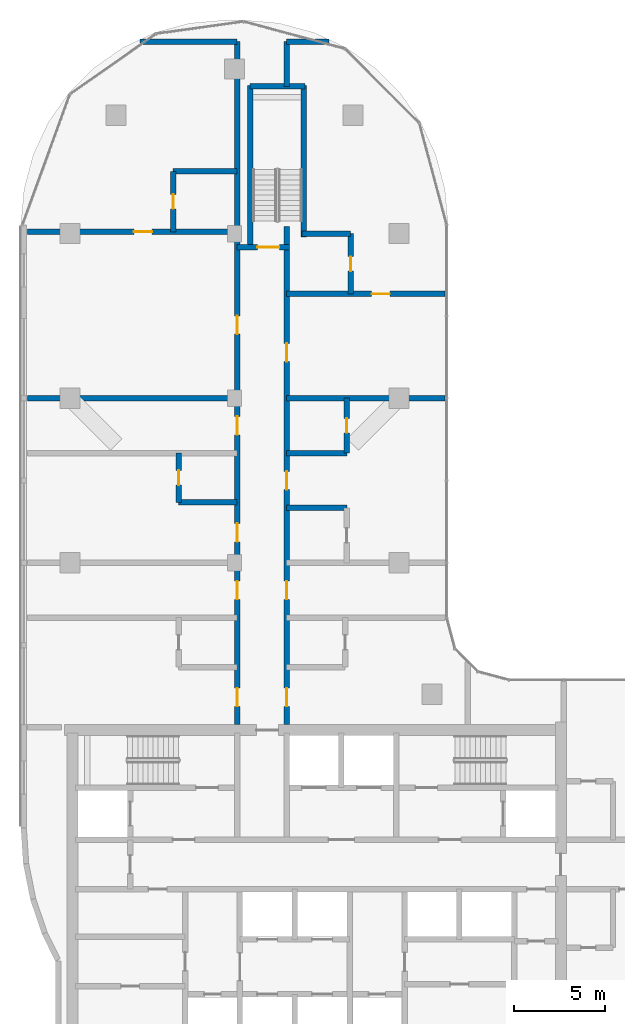
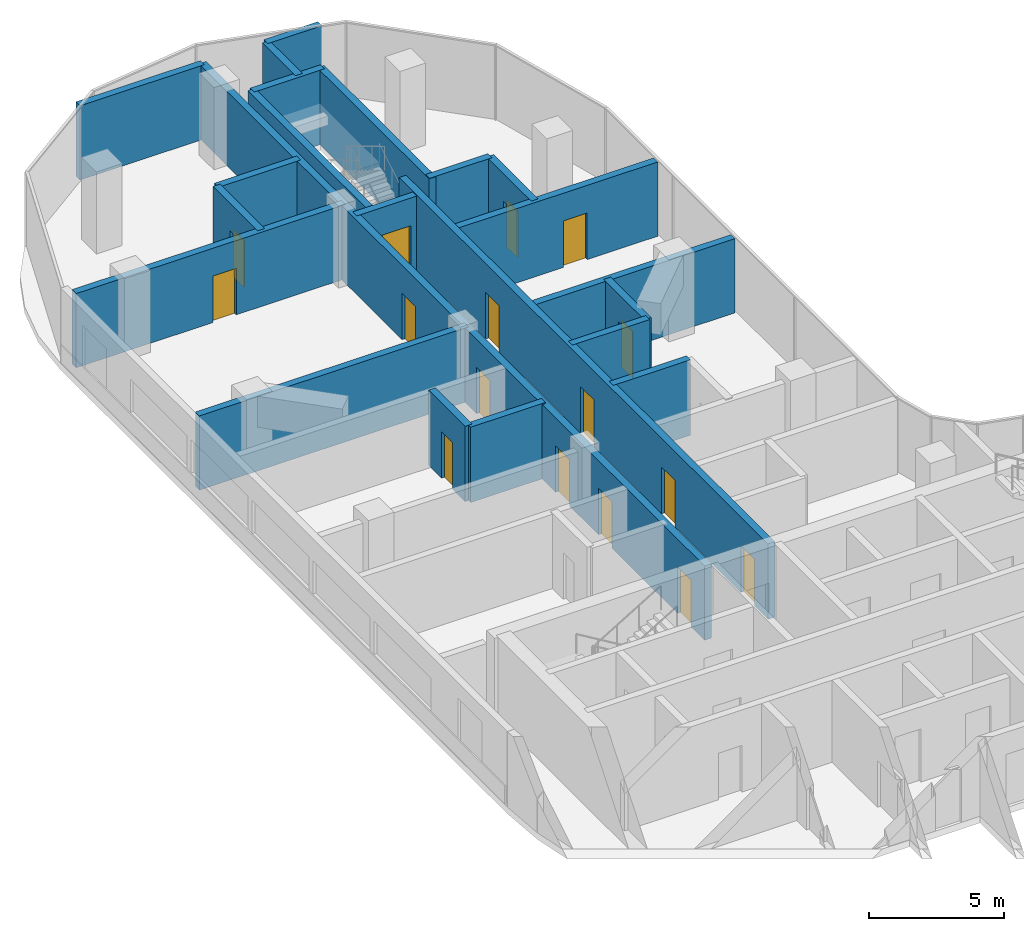
# One storey, part 14 of 23: 22 walls, 16 doors, 16 openings.
"""IFC4 building model written with IfcOpenShell, lengths in metres."""

from ifc_helpers import new_model, si_unit, direction, frame, frame_2d, origin, place, context, subcontext, project, spatial, rectangle, extrude, material, layer, layer_set, type_object, element, fill, save


model = new_model("IFC4")

# Units and contexts
model_context = context("Model", 3, precision=1e-05, world=origin(), true_north=direction((0.0, 1.0)))
body_context = subcontext(model_context, "Body", "Model", "MODEL_VIEW")
ifc_project = project(units=[si_unit("LENGTHUNIT", "METRE"), si_unit("AREAUNIT", "SQUARE_METRE"), si_unit("VOLUMEUNIT", "CUBIC_METRE"), si_unit("PLANEANGLEUNIT", "RADIAN"), si_unit("MASSUNIT", "GRAM", prefix="KILO")], contexts=[model_context])

# Site, building, storey
site_placement = place(None, origin())
site = spatial("IfcSite", under=ifc_project, at=site_placement, CompositionType="ELEMENT")
building_placement = place(site_placement, origin())
building = spatial("IfcBuilding", under=site, at=building_placement, Name="Ogive Portal Towers", CompositionType="ELEMENT")
storey_placement = place(building_placement, frame((0.0, 0.0, 186.60009765625)))
storey = spatial("IfcBuildingStorey", under=building, at=storey_placement, Name="L46", CompositionType="ELEMENT", Elevation=186.60009765625)

# Wall, opening, door
ifc_material_1 = material(Name="Concrete C50/60", Category="concrete")
ifc_layer_1 = layer(ifc_material_1, 0.300048828125)
ifc_layer_set_1 = layer_set([ifc_layer_1], Name="STAIR WALL 300 C50")
wall_type_1 = type_object("IfcWallType", Name="STAIR WALL 300 C50", PredefinedType="SHEAR", material=ifc_layer_set_1)
wall_1_placement = place(storey_placement, frame((40.64990234375, 65.75, 0.0), z_axis=(0.0, 0.0, 1.0), x_axis=(1.0, 0.0, 0.0)))
wall_1 = element("IfcWall", 1, at=wall_1_placement, inside=storey, type_object=wall_type_1, Name="Stair wall ST-A3 L46", PredefinedType="SHEAR", context=body_context, shape_type="SweptSolid", body=[
    extrude(rectangle(XDim=2.8701171875, YDim=0.300048828125, at=frame_2d((1.43505859375, 0.0))), origin(), (0.0, 0.0, 1.0), 3.349853515625),
])
opening_1_placement = place(wall_1_placement, frame((1.10009765625, 0.0, 0.0)))
opening_1 = element("IfcOpeningElement", 2, at=opening_1_placement, cuts=wall_1, Name="Opening D20-065", PredefinedType="OPENING", context=body_context, shape_type="SweptSolid", body=[
    extrude(rectangle(XDim=1.199951171875, YDim=2.10009765625, at=frame_2d((0.60009765625, 1.050048828125))), frame((0.0, 0.16015625, 0.0), z_axis=(0.0, -1.0, 0.0), x_axis=(1.0, 0.0, 0.0)), (0.0, 0.0, 1.0), 0.320068359375),
])
ifc_material_2 = material(Name="Steel fire door", Category="steel")
door_type_1 = type_object("IfcDoorType", Name="DT-STAIR-1200x2100-FD90S", OperationType="SINGLE_SWING_LEFT", PredefinedType="DOOR", material=ifc_material_2)
door_1_placement = place(opening_1_placement, origin())
door_1 = element("IfcDoor", 3, at=door_1_placement, inside=storey, type_object=door_type_1, Name="Door D20-065", OperationType="SINGLE_SWING_RIGHT", OverallHeight=2.10009765625, OverallWidth=1.199951171875, PredefinedType="DOOR", context=body_context, shape_type="SweptSolid", body=[
    extrude(rectangle(XDim=1.199951171875, YDim=2.10009765625, at=frame_2d((0.60009765625, 1.050048828125))), frame((0.0, 0.02490234375, 0.0), z_axis=(0.0, -1.0, 0.0), x_axis=(1.0, 0.0, 0.0)), (0.0, 0.0, 1.0), 0.050048828125),
])
fill(opening_1, door_1)

# Walls
wall_2_placement = place(storey_placement, frame((41.35009765625, 74.550048828125, 0.0), z_axis=(0.0, 0.0, 1.0), x_axis=(1.0, 0.0, 0.0)))
element("IfcWall", 4, at=wall_2_placement, inside=storey, type_object=wall_type_1, Name="Stair wall ST-A3 L46", PredefinedType="SHEAR", context=body_context, shape_type="SweptSolid", body=[
    extrude(rectangle(XDim=3.0, YDim=0.300048828125, at=frame_2d((1.5, 0.0))), origin(), (0.0, 0.0, 1.0), 3.349853515625),
])
wall_3_placement = place(storey_placement, frame((41.35009765625, 65.75, 0.0), z_axis=(0.0, 0.0, 1.0), x_axis=(0.0, 1.0, 0.0)))
element("IfcWall", 5, at=wall_3_placement, inside=storey, type_object=wall_type_1, Name="Stair wall ST-A3 L46", PredefinedType="SHEAR", context=body_context, shape_type="SweptSolid", body=[
    extrude(rectangle(XDim=8.85009765625, YDim=0.300048828125, at=frame_2d((4.425048828125, 0.0))), origin(), (0.0, 0.0, 1.0), 3.349853515625),
])

# Wall, openings, doors
wall_4_placement = place(storey_placement, frame((43.35009765625, 39.64990234375, 0.0), z_axis=(0.0, 0.0, 1.0), x_axis=(0.0, 1.0, 0.0)))
wall_4 = element("IfcWall", 6, at=wall_4_placement, inside=storey, type_object=wall_type_1, Name="Stair wall ST-A3 L46", PredefinedType="SHEAR", context=body_context, shape_type="SweptSolid", body=[
    extrude(rectangle(XDim=27.248046875, YDim=0.300048828125, at=frame_2d((13.6240234375, 0.0))), origin(), (0.0, 0.0, 1.0), 3.39990234375),
])
opening_2_placement = place(wall_4_placement, frame((1.0, 0.0, 0.0)))
opening_2 = element("IfcOpeningElement", 7, at=opening_2_placement, cuts=wall_4, Name="Opening D20-044", PredefinedType="OPENING", context=body_context, shape_type="SweptSolid", body=[
    extrude(rectangle(XDim=1.0, YDim=2.10009765625, at=frame_2d((0.5, 1.050048828125))), frame((0.0, 0.16015625, 0.0), z_axis=(0.0, -1.0, 0.0), x_axis=(1.0, 0.0, 0.0)), (0.0, 0.0, 1.0), 0.320068359375),
])
opening_3_placement = place(wall_4_placement, frame((6.85009765625, 0.0, 0.0)))
opening_3 = element("IfcOpeningElement", 8, at=opening_3_placement, cuts=wall_4, Name="Opening D20-045", PredefinedType="OPENING", context=body_context, shape_type="SweptSolid", body=[
    extrude(rectangle(XDim=1.0, YDim=2.10009765625, at=frame_2d((0.5, 1.050048828125))), frame((0.0, 0.16015625, 0.0), z_axis=(0.0, -1.0, 0.0), x_axis=(1.0, 0.0, 0.0)), (0.0, 0.0, 1.0), 0.320068359375),
])
opening_4_placement = place(wall_4_placement, frame((12.85009765625, 0.0, 0.0)))
opening_4 = element("IfcOpeningElement", 9, at=opening_4_placement, cuts=wall_4, Name="Opening D20-051", PredefinedType="OPENING", context=body_context, shape_type="SweptSolid", body=[
    extrude(rectangle(XDim=1.0, YDim=2.10009765625, at=frame_2d((0.5, 1.050048828125))), frame((0.0, 0.16015625, 0.0), z_axis=(0.0, -1.0, 0.0), x_axis=(1.0, 0.0, 0.0)), (0.0, 0.0, 1.0), 0.320068359375),
])
opening_5_placement = place(wall_4_placement, frame((19.85009765625, 0.0, 0.0)))
opening_5 = element("IfcOpeningElement", 10, at=opening_5_placement, cuts=wall_4, Name="Opening D20-055", PredefinedType="OPENING", context=body_context, shape_type="SweptSolid", body=[
    extrude(rectangle(XDim=1.0, YDim=2.10009765625, at=frame_2d((0.5, 1.050048828125))), frame((0.0, 0.16015625, 0.0), z_axis=(0.0, -1.0, 0.0), x_axis=(1.0, 0.0, 0.0)), (0.0, 0.0, 1.0), 0.320068359375),
])
door_type_2 = type_object("IfcDoorType", Name="DT-ENTRY-1000x2100-FD90S", OperationType="SINGLE_SWING_LEFT", PredefinedType="DOOR", material=ifc_material_2)
door_2_placement = place(opening_2_placement, origin())
door_2 = element("IfcDoor", 11, at=door_2_placement, inside=storey, type_object=door_type_2, Name="Door D20-044", OperationType="SINGLE_SWING_LEFT", OverallHeight=2.10009765625, OverallWidth=1.0, PredefinedType="DOOR", context=body_context, shape_type="SweptSolid", body=[
    extrude(rectangle(XDim=1.0, YDim=2.10009765625, at=frame_2d((0.5, 1.050048828125))), frame((0.0, 0.02490234375, 0.0), z_axis=(0.0, -1.0, 0.0), x_axis=(1.0, 0.0, 0.0)), (0.0, 0.0, 1.0), 0.050048828125),
])
fill(opening_2, door_2)
door_3_placement = place(opening_3_placement, origin())
door_3 = element("IfcDoor", 12, at=door_3_placement, inside=storey, type_object=door_type_2, Name="Door D20-045", OperationType="SINGLE_SWING_LEFT", OverallHeight=2.10009765625, OverallWidth=1.0, PredefinedType="DOOR", context=body_context, shape_type="SweptSolid", body=[
    extrude(rectangle(XDim=1.0, YDim=2.10009765625, at=frame_2d((0.5, 1.050048828125))), frame((0.0, 0.02490234375, 0.0), z_axis=(0.0, -1.0, 0.0), x_axis=(1.0, 0.0, 0.0)), (0.0, 0.0, 1.0), 0.050048828125),
])
fill(opening_3, door_3)
door_4_placement = place(opening_4_placement, origin())
door_4 = element("IfcDoor", 13, at=door_4_placement, inside=storey, type_object=door_type_2, Name="Door D20-051", OperationType="SINGLE_SWING_LEFT", OverallHeight=2.10009765625, OverallWidth=1.0, PredefinedType="DOOR", context=body_context, shape_type="SweptSolid", body=[
    extrude(rectangle(XDim=1.0, YDim=2.10009765625, at=frame_2d((0.5, 1.050048828125))), frame((0.0, 0.02490234375, 0.0), z_axis=(0.0, -1.0, 0.0), x_axis=(1.0, 0.0, 0.0)), (0.0, 0.0, 1.0), 0.050048828125),
])
fill(opening_4, door_4)
door_5_placement = place(opening_5_placement, origin())
door_5 = element("IfcDoor", 14, at=door_5_placement, inside=storey, type_object=door_type_2, Name="Door D20-055", OperationType="SINGLE_SWING_LEFT", OverallHeight=2.10009765625, OverallWidth=1.0, PredefinedType="DOOR", context=body_context, shape_type="SweptSolid", body=[
    extrude(rectangle(XDim=1.0, YDim=2.10009765625, at=frame_2d((0.5, 1.050048828125))), frame((0.0, 0.02490234375, 0.0), z_axis=(0.0, -1.0, 0.0), x_axis=(1.0, 0.0, 0.0)), (0.0, 0.0, 1.0), 0.050048828125),
])
fill(opening_5, door_5)

# Walls
wall_5_placement = place(storey_placement, frame((44.300048828125, 66.330078125, 0.0), z_axis=(0.0, 0.0, 1.0), x_axis=(0.0, 1.0, 0.0)))
element("IfcWall", 15, at=wall_5_placement, inside=storey, type_object=wall_type_1, Name="Stair wall ST-A3 L46", PredefinedType="SHEAR", context=body_context, shape_type="SweptSolid", body=[
    extrude(rectangle(XDim=8.27001953125, YDim=0.300048828125, at=frame_2d((4.135009765625, 0.0))), origin(), (0.0, 0.0, 1.0), 3.349853515625),
])
ifc_material_3 = material(Name="Gypsum board partition on steel studs", Category="steel")
ifc_layer_2 = layer(ifc_material_3, 0.300048828125)
ifc_layer_set_2 = layer_set([ifc_layer_2], Name="WT-PART-300-EI 60")
wall_type_2 = type_object("IfcWallType", Name="WT-PART-300-EI 60", PredefinedType="PARTITIONING", material=ifc_layer_set_2)
wall_6_placement = place(storey_placement, frame((43.35009765625, 51.5, 0.0), z_axis=(0.0, 0.0, 1.0), x_axis=(1.0, 0.0, 0.0)))
element("IfcWall", 16, at=wall_6_placement, inside=storey, type_object=wall_type_2, Name="Wall L46:w020", PredefinedType="PARTITIONING", context=body_context, shape_type="SweptSolid", body=[
    extrude(rectangle(XDim=3.2998046875, YDim=0.300048828125, at=frame_2d((1.64990234375, 0.0))), origin(), (0.0, 0.0, 1.0), 3.39990234375),
])
wall_7_placement = place(storey_placement, frame((37.449951171875, 51.800048828125, 0.0), z_axis=(0.0, 0.0, 1.0), x_axis=(1.0, 0.0, 0.0)))
element("IfcWall", 17, at=wall_7_placement, inside=storey, type_object=wall_type_2, Name="Wall L46:w021", PredefinedType="PARTITIONING", context=body_context, shape_type="SweptSolid", body=[
    extrude(rectangle(XDim=3.199951171875, YDim=0.300048828125, at=frame_2d((1.60009765625, 0.0))), origin(), (0.0, 0.0, 1.0), 3.39990234375),
])
wall_8_placement = place(storey_placement, frame((43.35009765625, 54.5, 0.0), z_axis=(0.0, 0.0, 1.0), x_axis=(1.0, 0.0, 0.0)))
element("IfcWall", 18, at=wall_8_placement, inside=storey, type_object=wall_type_2, Name="Wall L46:w023", PredefinedType="PARTITIONING", context=body_context, shape_type="SweptSolid", body=[
    extrude(rectangle(XDim=3.2998046875, YDim=0.300048828125, at=frame_2d((1.64990234375, 0.0))), origin(), (0.0, 0.0, 1.0), 3.39990234375),
])
wall_9_placement = place(storey_placement, frame((29.169921875, 57.5, 0.0), z_axis=(0.0, 0.0, 1.0), x_axis=(1.0, 0.0, 0.0)))
element("IfcWall", 19, at=wall_9_placement, inside=storey, type_object=wall_type_2, Name="Wall L46:w024", PredefinedType="PARTITIONING", context=body_context, shape_type="SweptSolid", body=[
    extrude(rectangle(XDim=11.47998046875, YDim=0.300048828125, at=frame_2d((5.739990234375, 0.0))), origin(), (0.0, 0.0, 1.0), 3.349853515625),
])
wall_10_placement = place(storey_placement, frame((43.35009765625, 57.5, 0.0), z_axis=(0.0, 0.0, 1.0), x_axis=(1.0, 0.0, 0.0)))
element("IfcWall", 20, at=wall_10_placement, inside=storey, type_object=wall_type_2, Name="Wall L46:w025", PredefinedType="PARTITIONING", context=body_context, shape_type="SweptSolid", body=[
    extrude(rectangle(XDim=8.659912109375, YDim=0.300048828125, at=frame_2d((4.330078125, 0.0))), origin(), (0.0, 0.0, 1.0), 3.349853515625),
])

# Wall, opening, door
wall_11_placement = place(storey_placement, frame((43.35009765625, 63.199951171875, 0.0), z_axis=(0.0, 0.0, 1.0), x_axis=(1.0, 0.0, 0.0)))
wall_11 = element("IfcWall", 21, at=wall_11_placement, inside=storey, type_object=wall_type_2, Name="Wall L46:w026", PredefinedType="PARTITIONING", context=body_context, shape_type="SweptSolid", body=[
    extrude(rectangle(XDim=8.659912109375, YDim=0.300048828125, at=frame_2d((4.330078125, 0.0))), origin(), (0.0, 0.0, 1.0), 3.349853515625),
])
opening_6_placement = place(wall_11_placement, frame((4.64990234375, 0.0, 0.0)))
opening_6 = element("IfcOpeningElement", 22, at=opening_6_placement, cuts=wall_11, Name="Opening D20-056", PredefinedType="OPENING", context=body_context, shape_type="SweptSolid", body=[
    extrude(rectangle(XDim=1.0, YDim=2.10009765625, at=frame_2d((0.5, 1.050048828125))), frame((0.0, 0.16015625, 0.0), z_axis=(0.0, -1.0, 0.0), x_axis=(1.0, 0.0, 0.0)), (0.0, 0.0, 1.0), 0.320068359375),
])
door_type_3 = type_object("IfcDoorType", Name="DT-ENTRY-1000x2100-FD60S", OperationType="SINGLE_SWING_LEFT", PredefinedType="DOOR", material=ifc_material_2)
door_6_placement = place(opening_6_placement, origin())
door_6 = element("IfcDoor", 23, at=door_6_placement, inside=storey, type_object=door_type_3, Name="Door D20-056", OperationType="SINGLE_SWING_RIGHT", OverallHeight=2.10009765625, OverallWidth=1.0, PredefinedType="DOOR", context=body_context, shape_type="SweptSolid", body=[
    extrude(rectangle(XDim=1.0, YDim=2.10009765625, at=frame_2d((0.5, 1.050048828125))), frame((0.0, 0.02490234375, 0.0), z_axis=(0.0, -1.0, 0.0), x_axis=(1.0, 0.0, 0.0)), (0.0, 0.0, 1.0), 0.050048828125),
])
fill(opening_6, door_6)

wall_12_placement = place(storey_placement, frame((29.169921875, 66.60009765625, 0.0), z_axis=(0.0, 0.0, 1.0), x_axis=(1.0, 0.0, 0.0)))
wall_12 = element("IfcWall", 24, at=wall_12_placement, inside=storey, type_object=wall_type_2, Name="Wall L46:w029", PredefinedType="PARTITIONING", context=body_context, shape_type="SweptSolid", body=[
    extrude(rectangle(XDim=11.47998046875, YDim=0.300048828125, at=frame_2d((5.739990234375, 0.0))), origin(), (0.0, 0.0, 1.0), 3.349853515625),
])
opening_7_placement = place(wall_12_placement, frame((5.830078125, 0.0, 0.0)))
opening_7 = element("IfcOpeningElement", 25, at=opening_7_placement, cuts=wall_12, Name="Opening D20-059", PredefinedType="OPENING", context=body_context, shape_type="SweptSolid", body=[
    extrude(rectangle(XDim=1.0, YDim=2.10009765625, at=frame_2d((0.5, 1.050048828125))), frame((0.0, 0.16015625, 0.0), z_axis=(0.0, -1.0, 0.0), x_axis=(1.0, 0.0, 0.0)), (0.0, 0.0, 1.0), 0.320068359375),
])
door_7_placement = place(opening_7_placement, origin())
door_7 = element("IfcDoor", 26, at=door_7_placement, inside=storey, type_object=door_type_3, Name="Door D20-059", OperationType="SINGLE_SWING_RIGHT", OverallHeight=2.10009765625, OverallWidth=1.0, PredefinedType="DOOR", context=body_context, shape_type="SweptSolid", body=[
    extrude(rectangle(XDim=1.0, YDim=2.10009765625, at=frame_2d((0.5, 1.050048828125))), frame((0.0, 0.02490234375, 0.0), z_axis=(0.0, -1.0, 0.0), x_axis=(1.0, 0.0, 0.0)), (0.0, 0.0, 1.0), 0.050048828125),
])
fill(opening_7, door_7)

# Walls
wall_13_placement = place(storey_placement, frame((37.14990234375, 69.89990234375, 0.0), z_axis=(0.0, 0.0, 1.0), x_axis=(1.0, 0.0, 0.0)))
element("IfcWall", 27, at=wall_13_placement, inside=storey, type_object=wall_type_2, Name="Wall L46:w030", PredefinedType="PARTITIONING", context=body_context, shape_type="SweptSolid", body=[
    extrude(rectangle(XDim=3.5, YDim=0.300048828125, at=frame_2d((1.75, 0.0))), origin(), (0.0, 0.0, 1.0), 3.349853515625),
])
wall_14_placement = place(storey_placement, frame((35.337890625, 77.0, 0.0), z_axis=(0.0, 0.0, 1.0), x_axis=(1.0, 0.0, 0.0)))
element("IfcWall", 28, at=wall_14_placement, inside=storey, type_object=wall_type_2, Name="Wall L46:w032", PredefinedType="PARTITIONING", context=body_context, shape_type="SweptSolid", body=[
    extrude(rectangle(XDim=5.31201171875, YDim=0.300048828125, at=frame_2d((2.656005859375, 0.0))), origin(), (0.0, 0.0, 1.0), 3.349853515625),
])
wall_15_placement = place(storey_placement, frame((43.35009765625, 77.0, 0.0), z_axis=(0.0, 0.0, 1.0), x_axis=(1.0, 0.0, 0.0)))
element("IfcWall", 29, at=wall_15_placement, inside=storey, type_object=wall_type_2, Name="Wall L46:w033", PredefinedType="PARTITIONING", context=body_context, shape_type="SweptSolid", body=[
    extrude(rectangle(XDim=2.31201171875, YDim=0.300048828125, at=frame_2d((1.156005859375, 0.0))), origin(), (0.0, 0.0, 1.0), 3.349853515625),
])

# Wall, opening, door
wall_16_placement = place(storey_placement, frame((37.14990234375, 66.60009765625, 0.0), z_axis=(0.0, 0.0, 1.0), x_axis=(0.0, 1.0, 0.0)))
wall_16 = element("IfcWall", 30, at=wall_16_placement, inside=storey, type_object=wall_type_2, Name="Wall L46:w034", PredefinedType="PARTITIONING", context=body_context, shape_type="SweptSolid", body=[
    extrude(rectangle(XDim=3.2998046875, YDim=0.300048828125, at=frame_2d((1.64990234375, 0.0))), origin(), (0.0, 0.0, 1.0), 3.349853515625),
])
opening_8_placement = place(wall_16_placement, frame((1.25, 0.0, 0.0)))
opening_8 = element("IfcOpeningElement", 31, at=opening_8_placement, cuts=wall_16, Name="Opening D20-060", PredefinedType="OPENING", context=body_context, shape_type="SweptSolid", body=[
    extrude(rectangle(XDim=0.800048828125, YDim=2.10009765625, at=frame_2d((0.39990234375, 1.050048828125))), frame((0.0, 0.16015625, 0.0), z_axis=(0.0, -1.0, 0.0), x_axis=(1.0, 0.0, 0.0)), (0.0, 0.0, 1.0), 0.320068359375),
])
door_type_4 = type_object("IfcDoorType", Name="DT-BATH-800x2100-FD60S", OperationType="SINGLE_SWING_LEFT", PredefinedType="DOOR", material=ifc_material_2)
door_8_placement = place(opening_8_placement, origin())
door_8 = element("IfcDoor", 32, at=door_8_placement, inside=storey, type_object=door_type_4, Name="Door D20-060", OperationType="SINGLE_SWING_LEFT", OverallHeight=2.10009765625, OverallWidth=0.800048828125, PredefinedType="DOOR", context=body_context, shape_type="SweptSolid", body=[
    extrude(rectangle(XDim=0.800048828125, YDim=2.10009765625, at=frame_2d((0.39990234375, 1.050048828125))), frame((0.0, 0.02490234375, 0.0), z_axis=(0.0, -1.0, 0.0), x_axis=(1.0, 0.0, 0.0)), (0.0, 0.0, 1.0), 0.050048828125),
])
fill(opening_8, door_8)

wall_17_placement = place(storey_placement, frame((37.449951171875, 51.800048828125, 0.0), z_axis=(0.0, 0.0, 1.0), x_axis=(0.0, 1.0, 0.0)))
wall_17 = element("IfcWall", 33, at=wall_17_placement, inside=storey, type_object=wall_type_2, Name="Wall L46:w036", PredefinedType="PARTITIONING", context=body_context, shape_type="SweptSolid", body=[
    extrude(rectangle(XDim=2.699951171875, YDim=0.300048828125, at=frame_2d((1.35009765625, 0.0))), origin(), (0.0, 0.0, 1.0), 3.39990234375),
])
opening_9_placement = place(wall_17_placement, frame((0.949951171875, 0.0, 0.0)))
opening_9 = element("IfcOpeningElement", 34, at=opening_9_placement, cuts=wall_17, Name="Opening D20-052", PredefinedType="OPENING", context=body_context, shape_type="SweptSolid", body=[
    extrude(rectangle(XDim=0.800048828125, YDim=2.10009765625, at=frame_2d((0.39990234375, 1.050048828125))), frame((0.0, 0.16015625, 0.0), z_axis=(0.0, -1.0, 0.0), x_axis=(1.0, 0.0, 0.0)), (0.0, 0.0, 1.0), 0.320068359375),
])
door_9_placement = place(opening_9_placement, origin())
door_9 = element("IfcDoor", 35, at=door_9_placement, inside=storey, type_object=door_type_4, Name="Door D20-052", OperationType="SINGLE_SWING_RIGHT", OverallHeight=2.10009765625, OverallWidth=0.800048828125, PredefinedType="DOOR", context=body_context, shape_type="SweptSolid", body=[
    extrude(rectangle(XDim=0.800048828125, YDim=2.10009765625, at=frame_2d((0.39990234375, 1.050048828125))), frame((0.0, 0.02490234375, 0.0), z_axis=(0.0, -1.0, 0.0), x_axis=(1.0, 0.0, 0.0)), (0.0, 0.0, 1.0), 0.050048828125),
])
fill(opening_9, door_9)

# Wall, openings, doors
wall_18_placement = place(storey_placement, frame((40.64990234375, 39.64990234375, 0.0), z_axis=(0.0, 0.0, 1.0), x_axis=(0.0, 1.0, 0.0)))
wall_18 = element("IfcWall", 36, at=wall_18_placement, inside=storey, type_object=wall_type_2, Name="Wall L46:w037", PredefinedType="PARTITIONING", context=body_context, shape_type="SweptSolid", body=[
    extrude(rectangle(XDim=37.35009765625, YDim=0.300048828125, at=frame_2d((18.675048828125, 0.0))), origin(), (0.0, 0.0, 1.0), 3.349853515625),
])
opening_10_placement = place(wall_18_placement, frame((1.0, 0.0, 0.0)))
opening_10 = element("IfcOpeningElement", 37, at=opening_10_placement, cuts=wall_18, Name="Opening D20-047", PredefinedType="OPENING", context=body_context, shape_type="SweptSolid", body=[
    extrude(rectangle(XDim=1.0, YDim=2.10009765625, at=frame_2d((0.5, 1.050048828125))), frame((0.0, 0.16015625, 0.0), z_axis=(0.0, -1.0, 0.0), x_axis=(1.0, 0.0, 0.0)), (0.0, 0.0, 1.0), 0.320068359375),
])
opening_11_placement = place(wall_18_placement, frame((6.85009765625, 0.0, 0.0)))
opening_11 = element("IfcOpeningElement", 38, at=opening_11_placement, cuts=wall_18, Name="Opening D20-048", PredefinedType="OPENING", context=body_context, shape_type="SweptSolid", body=[
    extrude(rectangle(XDim=1.0, YDim=2.10009765625, at=frame_2d((0.5, 1.050048828125))), frame((0.0, 0.16015625, 0.0), z_axis=(0.0, -1.0, 0.0), x_axis=(1.0, 0.0, 0.0)), (0.0, 0.0, 1.0), 0.320068359375),
])
opening_12_placement = place(wall_18_placement, frame((10.0, 0.0, 0.0)))
opening_12 = element("IfcOpeningElement", 39, at=opening_12_placement, cuts=wall_18, Name="Opening D20-053", PredefinedType="OPENING", context=body_context, shape_type="SweptSolid", body=[
    extrude(rectangle(XDim=1.0, YDim=2.10009765625, at=frame_2d((0.5, 1.050048828125))), frame((0.0, 0.16015625, 0.0), z_axis=(0.0, -1.0, 0.0), x_axis=(1.0, 0.0, 0.0)), (0.0, 0.0, 1.0), 0.320068359375),
])
opening_13_placement = place(wall_18_placement, frame((15.85009765625, 0.0, 0.0)))
opening_13 = element("IfcOpeningElement", 40, at=opening_13_placement, cuts=wall_18, Name="Opening D20-054", PredefinedType="OPENING", context=body_context, shape_type="SweptSolid", body=[
    extrude(rectangle(XDim=1.0, YDim=2.10009765625, at=frame_2d((0.5, 1.050048828125))), frame((0.0, 0.16015625, 0.0), z_axis=(0.0, -1.0, 0.0), x_axis=(1.0, 0.0, 0.0)), (0.0, 0.0, 1.0), 0.320068359375),
])
opening_14_placement = place(wall_18_placement, frame((21.35009765625, 0.0, 0.0)))
opening_14 = element("IfcOpeningElement", 41, at=opening_14_placement, cuts=wall_18, Name="Opening D20-058", PredefinedType="OPENING", context=body_context, shape_type="SweptSolid", body=[
    extrude(rectangle(XDim=1.0, YDim=2.10009765625, at=frame_2d((0.5, 1.050048828125))), frame((0.0, 0.16015625, 0.0), z_axis=(0.0, -1.0, 0.0), x_axis=(1.0, 0.0, 0.0)), (0.0, 0.0, 1.0), 0.320068359375),
])
door_10_placement = place(opening_10_placement, origin())
door_10 = element("IfcDoor", 42, at=door_10_placement, inside=storey, type_object=door_type_3, Name="Door D20-047", OperationType="SINGLE_SWING_LEFT", OverallHeight=2.10009765625, OverallWidth=1.0, PredefinedType="DOOR", context=body_context, shape_type="SweptSolid", body=[
    extrude(rectangle(XDim=1.0, YDim=2.10009765625, at=frame_2d((0.5, 1.050048828125))), frame((0.0, 0.02490234375, 0.0), z_axis=(0.0, -1.0, 0.0), x_axis=(1.0, 0.0, 0.0)), (0.0, 0.0, 1.0), 0.050048828125),
])
fill(opening_10, door_10)
door_11_placement = place(opening_11_placement, origin())
door_11 = element("IfcDoor", 43, at=door_11_placement, inside=storey, type_object=door_type_3, Name="Door D20-048", OperationType="SINGLE_SWING_LEFT", OverallHeight=2.10009765625, OverallWidth=1.0, PredefinedType="DOOR", context=body_context, shape_type="SweptSolid", body=[
    extrude(rectangle(XDim=1.0, YDim=2.10009765625, at=frame_2d((0.5, 1.050048828125))), frame((0.0, 0.02490234375, 0.0), z_axis=(0.0, -1.0, 0.0), x_axis=(1.0, 0.0, 0.0)), (0.0, 0.0, 1.0), 0.050048828125),
])
fill(opening_11, door_11)
door_12_placement = place(opening_12_placement, origin())
door_12 = element("IfcDoor", 44, at=door_12_placement, inside=storey, type_object=door_type_3, Name="Door D20-053", OperationType="SINGLE_SWING_LEFT", OverallHeight=2.10009765625, OverallWidth=1.0, PredefinedType="DOOR", context=body_context, shape_type="SweptSolid", body=[
    extrude(rectangle(XDim=1.0, YDim=2.10009765625, at=frame_2d((0.5, 1.050048828125))), frame((0.0, 0.02490234375, 0.0), z_axis=(0.0, -1.0, 0.0), x_axis=(1.0, 0.0, 0.0)), (0.0, 0.0, 1.0), 0.050048828125),
])
fill(opening_12, door_12)
door_13_placement = place(opening_13_placement, origin())
door_13 = element("IfcDoor", 45, at=door_13_placement, inside=storey, type_object=door_type_3, Name="Door D20-054", OperationType="SINGLE_SWING_LEFT", OverallHeight=2.10009765625, OverallWidth=1.0, PredefinedType="DOOR", context=body_context, shape_type="SweptSolid", body=[
    extrude(rectangle(XDim=1.0, YDim=2.10009765625, at=frame_2d((0.5, 1.050048828125))), frame((0.0, 0.02490234375, 0.0), z_axis=(0.0, -1.0, 0.0), x_axis=(1.0, 0.0, 0.0)), (0.0, 0.0, 1.0), 0.050048828125),
])
fill(opening_13, door_13)
door_14_placement = place(opening_14_placement, origin())
door_14 = element("IfcDoor", 46, at=door_14_placement, inside=storey, type_object=door_type_3, Name="Door D20-058", OperationType="SINGLE_SWING_LEFT", OverallHeight=2.10009765625, OverallWidth=1.0, PredefinedType="DOOR", context=body_context, shape_type="SweptSolid", body=[
    extrude(rectangle(XDim=1.0, YDim=2.10009765625, at=frame_2d((0.5, 1.050048828125))), frame((0.0, 0.02490234375, 0.0), z_axis=(0.0, -1.0, 0.0), x_axis=(1.0, 0.0, 0.0)), (0.0, 0.0, 1.0), 0.050048828125),
])
fill(opening_14, door_14)

# Wall, opening, door
wall_19_placement = place(storey_placement, frame((46.64990234375, 54.5, 0.0), z_axis=(0.0, 0.0, 1.0), x_axis=(0.0, 1.0, 0.0)))
wall_19 = element("IfcWall", 47, at=wall_19_placement, inside=storey, type_object=wall_type_2, Name="Wall L46:w044", PredefinedType="PARTITIONING", context=body_context, shape_type="SweptSolid", body=[
    extrude(rectangle(XDim=3.0, YDim=0.300048828125, at=frame_2d((1.5, 0.0))), origin(), (0.0, 0.0, 1.0), 3.349853515625),
])
opening_15_placement = place(wall_19_placement, frame((1.10009765625, 0.0, 0.0)))
opening_15 = element("IfcOpeningElement", 48, at=opening_15_placement, cuts=wall_19, Name="Opening D20-050", PredefinedType="OPENING", context=body_context, shape_type="SweptSolid", body=[
    extrude(rectangle(XDim=0.800048828125, YDim=2.10009765625, at=frame_2d((0.39990234375, 1.050048828125))), frame((0.0, 0.16015625, 0.0), z_axis=(0.0, -1.0, 0.0), x_axis=(1.0, 0.0, 0.0)), (0.0, 0.0, 1.0), 0.320068359375),
])
door_15_placement = place(opening_15_placement, origin())
door_15 = element("IfcDoor", 49, at=door_15_placement, inside=storey, type_object=door_type_4, Name="Door D20-050", OperationType="SINGLE_SWING_LEFT", OverallHeight=2.10009765625, OverallWidth=0.800048828125, PredefinedType="DOOR", context=body_context, shape_type="SweptSolid", body=[
    extrude(rectangle(XDim=0.800048828125, YDim=2.10009765625, at=frame_2d((0.39990234375, 1.050048828125))), frame((0.0, 0.02490234375, 0.0), z_axis=(0.0, -1.0, 0.0), x_axis=(1.0, 0.0, 0.0)), (0.0, 0.0, 1.0), 0.050048828125),
])
fill(opening_15, door_15)

wall_20_placement = place(storey_placement, frame((46.85009765625, 63.199951171875, 0.0), z_axis=(0.0, 0.0, 1.0), x_axis=(0.0, 1.0, 0.0)))
wall_20 = element("IfcWall", 50, at=wall_20_placement, inside=storey, type_object=wall_type_2, Name="Wall L46:w045", PredefinedType="PARTITIONING", context=body_context, shape_type="SweptSolid", body=[
    extrude(rectangle(XDim=3.300048828125, YDim=0.300048828125, at=frame_2d((1.64990234375, 0.0))), origin(), (0.0, 0.0, 1.0), 3.349853515625),
])
opening_16_placement = place(wall_20_placement, frame((1.25, 0.0, 0.0)))
opening_16 = element("IfcOpeningElement", 51, at=opening_16_placement, cuts=wall_20, Name="Opening D20-057", PredefinedType="OPENING", context=body_context, shape_type="SweptSolid", body=[
    extrude(rectangle(XDim=0.800048828125, YDim=2.10009765625, at=frame_2d((0.39990234375, 1.050048828125))), frame((0.0, 0.16015625, 0.0), z_axis=(0.0, -1.0, 0.0), x_axis=(1.0, 0.0, 0.0)), (0.0, 0.0, 1.0), 0.320068359375),
])
door_16_placement = place(opening_16_placement, origin())
door_16 = element("IfcDoor", 52, at=door_16_placement, inside=storey, type_object=door_type_4, Name="Door D20-057", OperationType="SINGLE_SWING_LEFT", OverallHeight=2.10009765625, OverallWidth=0.800048828125, PredefinedType="DOOR", context=body_context, shape_type="SweptSolid", body=[
    extrude(rectangle(XDim=0.800048828125, YDim=2.10009765625, at=frame_2d((0.39990234375, 1.050048828125))), frame((0.0, 0.02490234375, 0.0), z_axis=(0.0, -1.0, 0.0), x_axis=(1.0, 0.0, 0.0)), (0.0, 0.0, 1.0), 0.050048828125),
])
fill(opening_16, door_16)

# Walls
ifc_material_4 = material(Name="Concrete C40/50", Category="concrete")
ifc_layer_3 = layer(ifc_material_4, 0.300048828125)
ifc_layer_set_3 = layer_set([ifc_layer_3], Name="WT-SHAFT-300")
wall_type_3 = type_object("IfcWallType", Name="WT-SHAFT-300", PredefinedType="SOLIDWALL", material=ifc_layer_set_3)
wall_21_placement = place(storey_placement, frame((44.179931640625, 66.5, 0.0), z_axis=(0.0, 0.0, 1.0), x_axis=(1.0, 0.0, 0.0)))
element("IfcWall", 53, at=wall_21_placement, inside=storey, type_object=wall_type_3, Name="Wall L46:w028", PredefinedType="SOLIDWALL", context=body_context, shape_type="SweptSolid", body=[
    extrude(rectangle(XDim=2.670166015625, YDim=0.300048828125, at=frame_2d((1.3349609375, 0.0))), origin(), (0.0, 0.0, 1.0), 3.349853515625),
])
wall_22_placement = place(storey_placement, frame((43.35009765625, 74.550048828125, 0.0), z_axis=(0.0, 0.0, 1.0), x_axis=(0.0, 1.0, 0.0)))
element("IfcWall", 54, at=wall_22_placement, inside=storey, type_object=wall_type_3, Name="Wall L46:w040", PredefinedType="SOLIDWALL", context=body_context, shape_type="SweptSolid", body=[
    extrude(rectangle(XDim=2.449951171875, YDim=0.300048828125, at=frame_2d((1.22509765625, 0.0))), origin(), (0.0, 0.0, 1.0), 3.349853515625),
])

save(model, "model.ifc")
